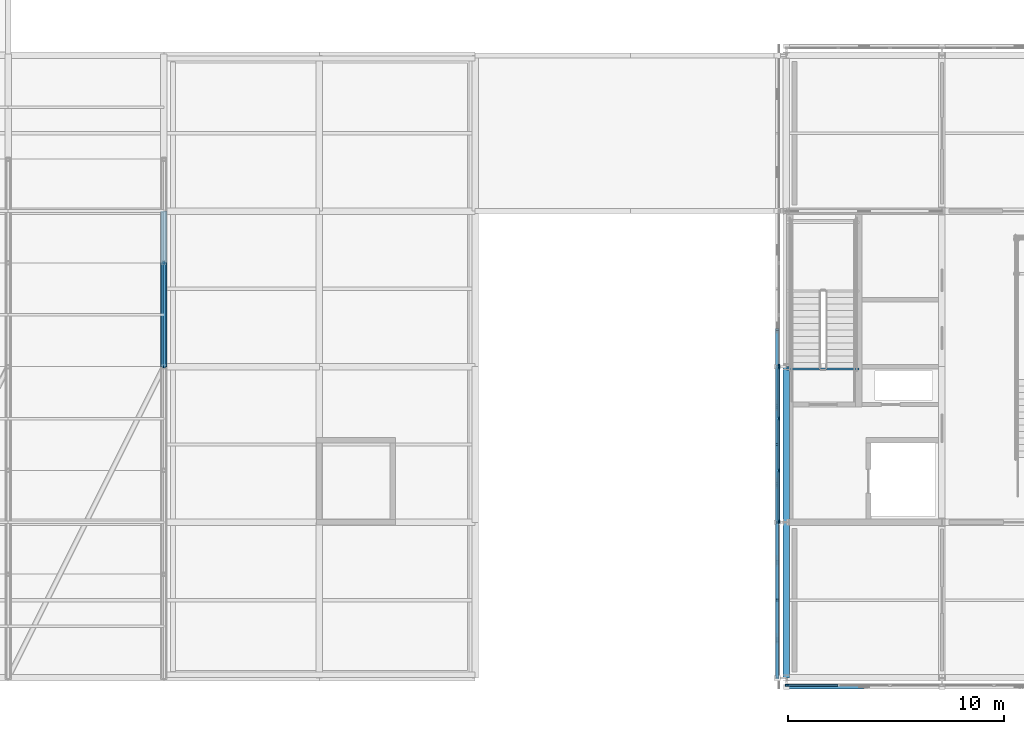
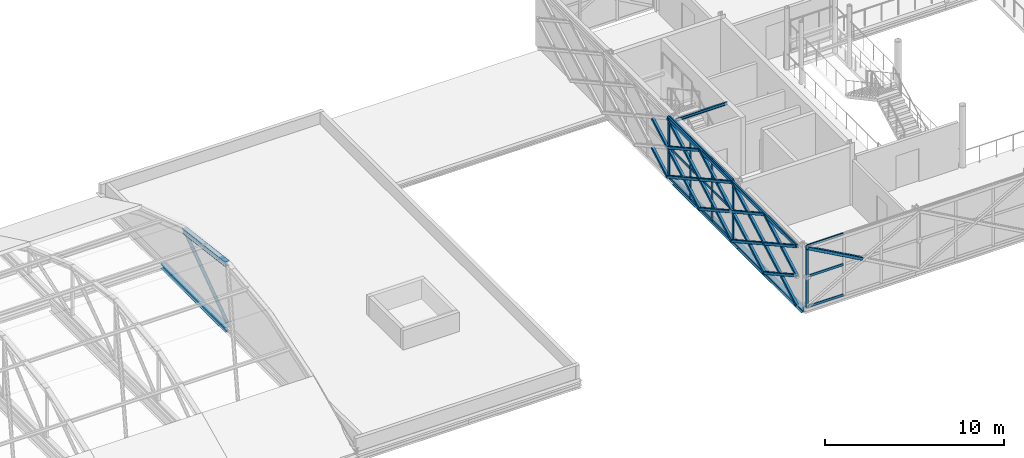
# One storey, part 29 of 103: 49 members, 4 beams, 3 elements without a shape of their own.
"""IFC4 building model written with IfcOpenShell, lengths in metres."""

import ifcopenshell
import ifcopenshell.guid

model = None  # the IFC model being written
_history = None  # IfcOwnerHistory: only IFC2X3 demands one
_inside = {}  # id of a spatial element -> (the spatial element, [elements in it])
_under = {}  # id of a project, library or spatial element -> (it, [spatial elements below it])
_declared = {}  # id of a project -> (the project, [libraries it declares])
_typed = {}  # id of a type object -> (the type object, [elements of that type])
_made_of = {}  # id of a material, layer set ... -> (it, [elements and type objects made of it])


def new_model(schema):
    """Start an empty IFC model of exactly this schema.

    Asked for "IFC4X3", IfcOpenShell would pick the latest addendum, in which some entities
    have other attributes; the version numbers below select the first issue.
    IFC2X3 requires an IfcOwnerHistory on every rooted entity: one is made here for all.
    """
    global model, _history
    if schema == "IFC4X3":
        model = ifcopenshell.file(schema_version=(4, 3, 0, 0))
    else:
        model = ifcopenshell.file(schema=schema)
    _inside.clear()
    _under.clear()
    _declared.clear()
    _typed.clear()
    _made_of.clear()
    _history = None
    if model.schema == "IFC2X3":
        org = make("IfcOrganization", Name="unknown")
        user = make(
            "IfcPersonAndOrganization",
            ThePerson=make("IfcPerson", FamilyName="unknown"),
            TheOrganization=org,
        )
        app = make(
            "IfcApplication",
            ApplicationDeveloper=org,
            Version="unknown",
            ApplicationFullName="unknown",
            ApplicationIdentifier="unknown",
        )
        _history = make(
            "IfcOwnerHistory",
            OwningUser=user,
            OwningApplication=app,
            ChangeAction="ADDED",
            CreationDate=0,
        )
    return model


def make(cls, **values):
    """One entity of the class cls with the attributes given. An attribute that is None is left unset."""
    return model.create_entity(
        cls, **{name: value for name, value in values.items() if value is not None}
    )


def rooted(cls, **values):
    """An entity with a GlobalId (a new one), such as an element, a storey or a relation."""
    return make(cls, GlobalId=ifcopenshell.guid.new(), OwnerHistory=_history, **values)


def si_unit(unit_type, name, prefix=None):
    """IfcSIUnit, for example si_unit("LENGTHUNIT", "METRE", prefix="MILLI")."""
    return make("IfcSIUnit", UnitType=unit_type, Prefix=prefix, Name=name)


def assignment(units):
    """IfcUnitAssignment: the units of a project."""
    return None if units is None else make("IfcUnitAssignment", Units=units)


def point(xyz):
    """IfcCartesianPoint."""
    return None if xyz is None else make("IfcCartesianPoint", Coordinates=xyz)


def direction(xyz):
    """IfcDirection."""
    return None if xyz is None else make("IfcDirection", DirectionRatios=xyz)


def frame(location, z_axis=None, x_axis=None):
    """IfcAxis2Placement3D, a coordinate frame: its origin and axes. An axis left out is left unset."""
    return make(
        "IfcAxis2Placement3D",
        Location=point(location),
        Axis=direction(z_axis),
        RefDirection=direction(x_axis),
    )


def frame_2d(location, x_axis=None):
    """IfcAxis2Placement2D, a coordinate frame in the plane: its origin and x axis."""
    return make(
        "IfcAxis2Placement2D", Location=point(location), RefDirection=direction(x_axis)
    )


def origin():
    """The frame at (0, 0, 0) with its axes left unset."""
    return frame((0.0, 0.0, 0.0))


def origin_2d():
    """The frame at (0, 0) in the plane with its x axis left unset."""
    return frame_2d((0.0, 0.0))


def place(relative_to, where):
    """IfcLocalPlacement: puts the frame where relative to a parent placement (None: the world)."""
    return make(
        "IfcLocalPlacement", PlacementRelTo=relative_to, RelativePlacement=where
    )


def context(
    kind, dimensions, precision=None, world=None, true_north=None, identifier=None
):
    """IfcGeometricRepresentationContext, for example the 3D "Model" context."""
    return make(
        "IfcGeometricRepresentationContext",
        ContextIdentifier=identifier,
        ContextType=kind,
        CoordinateSpaceDimension=dimensions,
        Precision=precision,
        WorldCoordinateSystem=world,
        TrueNorth=true_north,
    )


def subcontext(parent, identifier, kind, view, scale=None):
    """IfcGeometricRepresentationSubContext, for example "Body" below "Model"."""
    return make(
        "IfcGeometricRepresentationSubContext",
        ContextIdentifier=identifier,
        ContextType=kind,
        ParentContext=parent,
        TargetScale=scale,
        TargetView=view,
    )


def project(units=None, contexts=None):
    """IfcProject with its units and contexts."""
    return rooted(
        "IfcProject",
        Name="project",
        RepresentationContexts=contexts,
        UnitsInContext=assignment(units),
    )


def spatial(cls, under=None, at=None, **own):
    """A site, building, storey or space (cls), placed at a placement, below another one or the project."""
    s = rooted(cls, ObjectPlacement=at, **own)
    if under is not None:
        _under.setdefault(under.id(), (under, []))[1].append(s)
    return s


def profile(cls, at=None, kind="AREA", **sizes):
    """A parametric profile (cls). Its sizes go by their IFC names, for example OverallWidth=200.0."""
    return make(cls, ProfileType=kind, Position=at, **sizes)


def rectangle(**sizes):
    """IfcRectangleProfileDef."""
    return profile("IfcRectangleProfileDef", **sizes)


def hollow_rectangle(**sizes):
    """IfcRectangleHollowProfileDef."""
    return profile("IfcRectangleHollowProfileDef", **sizes)


def hollow_circle(**sizes):
    """IfcCircleHollowProfileDef."""
    return profile("IfcCircleHollowProfileDef", **sizes)


def i_section(**sizes):
    """IfcIShapeProfileDef."""
    return profile("IfcIShapeProfileDef", **sizes)


def extrude(swept, where, along, depth):
    """IfcExtrudedAreaSolid: the profile swept, set in the frame where, extruded along a direction by depth."""
    return make(
        "IfcExtrudedAreaSolid",
        SweptArea=swept,
        Position=where,
        ExtrudedDirection=direction(along),
        Depth=depth,
    )


def shape(context_of_items, identifier, shape_type, items):
    """IfcShapeRepresentation: the items that make up one representation, for example the "Body"."""
    return make(
        "IfcShapeRepresentation",
        ContextOfItems=context_of_items,
        RepresentationIdentifier=identifier,
        RepresentationType=shape_type,
        Items=items,
    )


def material(Name=None, Category=None):
    """IfcMaterial."""
    return make("IfcMaterial", Name=Name, Category=Category)


def material_profile(
    of_material, cross_section, Name=None, Category=None, Priority=None
):
    """IfcMaterialProfile: a cross section and its material."""
    return make(
        "IfcMaterialProfile",
        Name=Name,
        Material=of_material,
        Profile=cross_section,
        Priority=Priority,
        Category=Category,
    )


def profile_set(profiles, Name=None, composite=None):
    """IfcMaterialProfileSet."""
    return make(
        "IfcMaterialProfileSet",
        Name=Name,
        MaterialProfiles=profiles,
        CompositeProfile=composite,
    )


def made_of(thing, what):
    """Note that an element or type object is made of a material, layer set ...; save() writes the relation."""
    if what is not None:
        _made_of.setdefault(what.id(), (what, []))[1].append(thing)
    return thing


def type_object(cls, material=None, **own):
    """A type object (cls), such as IfcWallType, which elements share."""
    return made_of(rooted(cls, **own), material)


def element(
    cls,
    number,
    at=None,
    inside=None,
    cuts=None,
    type_object=None,
    material=None,
    context=None,
    identifier="Body",
    shape_type=None,
    held_by="IfcProductDefinitionShape",
    body=None,
    shapes=None,
    **own,
):
    """One element of the class cls, such as IfcWall. Its Tag is "e" and its number.

    at: its placement. inside: the storey or other place that contains it. cuts: it is an
    opening in that element (IfcRelVoidsElement). A single representation is given by context,
    identifier, shape_type and body (its items); several are given by shapes. held_by: the class
    of the entity that holds the representations. save() writes the other relations.
    """
    e = rooted(cls, Tag="e%d" % number, ObjectPlacement=at, **own)
    if body is not None:
        shapes = [shape(context, identifier, shape_type, body)]
    if shapes is not None:
        e.Representation = make(held_by, Representations=shapes)
    if inside is not None:
        _inside.setdefault(inside.id(), (inside, []))[1].append(e)
    if cuts is not None:
        rooted(
            "IfcRelVoidsElement", RelatingBuildingElement=cuts, RelatedOpeningElement=e
        )
    if type_object is not None:
        _typed.setdefault(type_object.id(), (type_object, []))[1].append(e)
    return made_of(e, material)


def aggregate(whole, parts):
    """IfcRelAggregates: a whole, such as a stair, and the parts it consists of."""
    return rooted("IfcRelAggregates", RelatingObject=whole, RelatedObjects=parts)


def save(model, path):
    """Write the relations noted so far, then the file.

    IfcRelAggregates (storeys below a building ...), IfcRelContainedInSpatialStructure (elements
    in a storey), IfcRelDefinesByType, IfcRelAssociatesMaterial and IfcRelDeclares: one each for
    every whole, place, type object, material and project.
    """
    for whole, parts in _under.values():
        aggregate(whole, parts)
    for where, things in _inside.values():
        rooted(
            "IfcRelContainedInSpatialStructure",
            RelatedElements=things,
            RelatingStructure=where,
        )
    for kind, things in _typed.values():
        rooted("IfcRelDefinesByType", RelatedObjects=things, RelatingType=kind)
    for what, things in _made_of.values():
        rooted("IfcRelAssociatesMaterial", RelatedObjects=things, RelatingMaterial=what)
    for by, libraries in _declared.values():
        rooted("IfcRelDeclares", RelatingContext=by, RelatedDefinitions=libraries)
    model.write(path)


model = new_model("IFC4")

# Units and contexts
model_context = context("Model", 3, precision=1e-05, world=origin(), true_north=direction((0.0, 1.0)))
body_context = subcontext(model_context, "Body", "Model", "MODEL_VIEW")
ifc_project = project(units=[si_unit("LENGTHUNIT", "METRE"), si_unit("AREAUNIT", "SQUARE_METRE"), si_unit("VOLUMEUNIT", "CUBIC_METRE"), si_unit("PLANEANGLEUNIT", "RADIAN"), si_unit("MASSUNIT", "GRAM", prefix="KILO")], contexts=[model_context])

# Site, building, storey
site_placement = place(None, origin())
site = spatial("IfcSite", under=ifc_project, at=site_placement, CompositionType="ELEMENT")
building_placement = place(site_placement, origin())
building = spatial("IfcBuilding", under=site, at=building_placement, Name="Zlatovets Crest Museum", CompositionType="ELEMENT")
storey_placement = place(building_placement, frame((0.0, 0.0, 12.89990234375)))
storey = spatial("IfcBuildingStorey", under=building, at=storey_placement, Name="L03", CompositionType="ELEMENT", Elevation=12.89990234375)

# Beams
ifc_material_1 = material(Name="Structural steel S355J2", Category="steel")
ifc_material_profile_1 = material_profile(ifc_material_1, i_section(OverallWidth=0.300048828125, OverallDepth=0.31005859375, WebThickness=0.009033203125, FlangeThickness=0.015380859375, FilletRadius=0.027099609375, at=origin_2d()), Name="HEA 320")
ifc_profile_set_1 = profile_set([ifc_material_profile_1], Name="Structural steel S355J2")
beam_type_1 = type_object("IfcBeamType", Name="Beam_B-04", PredefinedType="BEAM", material=ifc_profile_set_1)
for number, where, z_axis, x_axis, name in (
    (1, (57.60009765625, 0.0, -0.39501953125), (0.0, 1.0, 0.0), (-1.0, 0.0, 0.0), "V2 L03 Grid Beam B-04"),
    (2, (57.60009765625, 7.199951171875, -0.39501953125), (0.0, 1.0, 0.0), (-1.0, 0.0, 0.0), "V2 L03 Grid Beam B-04"),
):
    element("IfcBeam", number, at=place(storey_placement, frame(where, z_axis=z_axis, x_axis=x_axis)), inside=storey, type_object=beam_type_1, Name=name, PredefinedType="BEAM", context=body_context, shape_type="SweptSolid", body=[
        extrude(i_section(OverallWidth=0.300048828125, OverallDepth=0.31005859375, WebThickness=0.009033203125, FlangeThickness=0.015380859375, FilletRadius=0.027099609375, at=origin_2d()), origin(), (0.0, 0.0, 1.0), 7.199951171875),
    ])
beam_1_placement = place(storey_placement, frame((28.800048828125, 14.39990234375, -0.375), z_axis=(0.0, 1.0, 0.0), x_axis=(-1.0, 0.0, 0.0)))
element("IfcBeam", 3, at=beam_1_placement, inside=storey, type_object=beam_type_1, Name="V3 L03 Grid Beam B-04", PredefinedType="BEAM", context=body_context, shape_type="SweptSolid", body=[
    extrude(i_section(OverallWidth=0.300048828125, OverallDepth=0.31005859375, WebThickness=0.009033203125, FlangeThickness=0.015380859375, FilletRadius=0.027099609375, at=origin_2d()), origin(), (0.0, 0.0, 1.0), 7.2001953125),
])
ifc_material_profile_2 = material_profile(ifc_material_1, i_section(OverallWidth=0.10009765625, OverallDepth=0.199951171875, WebThickness=0.005615234375, FlangeThickness=0.008544921875, FilletRadius=0.011962890625, at=origin_2d()), Name="IPE 200")
ifc_profile_set_2 = profile_set([ifc_material_profile_2], Name="Structural steel S355J2")
beam_type_2 = type_object("IfcBeamType", Name="Beam_PR-02", PredefinedType="LINTEL", material=ifc_profile_set_2)
beam_2_placement = place(storey_placement, frame((57.60009765625, 14.300048828125, 3.860107421875), z_axis=(1.0, 0.0, 0.0), x_axis=(0.0, 1.0, 0.0)))
element("IfcBeam", 4, at=beam_2_placement, inside=storey, type_object=beam_type_2, Name="Core C2 L03 Stair Well Header Beam", PredefinedType="LINTEL", context=body_context, shape_type="SweptSolid", body=[
    extrude(i_section(OverallWidth=0.10009765625, OverallDepth=0.199951171875, WebThickness=0.005615234375, FlangeThickness=0.008544921875, FilletRadius=0.011962890625, at=origin_2d()), origin(), (0.0, 0.0, 1.0), 3.349853515625),
])

# Curtain wall, member
ifc_material_2 = material(Name="Bronze-anodised aluminium and low-E triple glass", Category="aluminium")
curtain_wall_type_1 = type_object("IfcCurtainWallType", Name="CW_CW-V2-L03-M0", PredefinedType="NOTDEFINED", material=ifc_material_2)
curtain_wall_1_placement = place(storey_placement, origin())
curtain_wall_1 = element("IfcCurtainWall", 5, at=curtain_wall_1_placement, inside=storey, type_object=curtain_wall_type_1, Name="V2 L03 Secession Foyer Clear Curtain Wall", PredefinedType="NOTDEFINED")
ifc_material_3 = material(Name="Bronze-anodised aluminium EN AW-6060", Category="aluminium")
ifc_material_profile_3 = material_profile(ifc_material_3, rectangle(XDim=0.080078125, YDim=0.159912109375, at=origin_2d()), Name="ALU 80x160")
ifc_profile_set_3 = profile_set([ifc_material_profile_3], Name="Bronze-anodised aluminium EN AW-6060")
member_type_1 = type_object("IfcMemberType", Name="CWMull_M1", PredefinedType="MULLION", material=ifc_profile_set_3)
member_1_placement = place(storey_placement, frame((57.6298828125, -0.340087890625, 0.0), z_axis=(0.0, 0.0, 1.0), x_axis=(0.0, 1.0, 0.0)))
member_1 = element("IfcMember", 6, at=member_1_placement, type_object=member_type_1, Name="CW-V2-L03-M0 mullion 1", PredefinedType="MULLION", context=body_context, shape_type="SweptSolid", body=[
    extrude(rectangle(XDim=0.080078125, YDim=0.159912109375, at=origin_2d()), origin(), (0.0, 0.0, 1.0), 4.2001953125),
])

curtain_wall_type_2 = type_object("IfcCurtainWallType", Name="CW_CW-V2-L03-M3", PredefinedType="NOTDEFINED", material=ifc_material_2)
curtain_wall_2_placement = place(storey_placement, origin())
curtain_wall_2 = element("IfcCurtainWall", 7, at=curtain_wall_2_placement, inside=storey, type_object=curtain_wall_type_2, Name="V2 L03 Expressed Core Glazed Facade", PredefinedType="NOTDEFINED")
member_2_placement = place(storey_placement, frame((57.260009765625, 14.429931640625, 0.0), z_axis=(0.0, 0.0, 1.0), x_axis=(1.0, 0.0, 0.0)))
member_2 = element("IfcMember", 8, at=member_2_placement, type_object=member_type_1, Name="CW-V2-L03-M3 mullion 4", PredefinedType="MULLION", context=body_context, shape_type="SweptSolid", body=[
    extrude(rectangle(XDim=0.080078125, YDim=0.159912109375, at=origin_2d()), origin(), (0.0, 0.0, 1.0), 4.2001953125),
])
aggregate(curtain_wall_2, [member_2])

# Curtain wall, members
curtain_wall_3_placement = place(storey_placement, origin())
curtain_wall_3 = element("IfcCurtainWall", 9, at=curtain_wall_3_placement, inside=storey, type_object=curtain_wall_type_1, Name="V2 L03 Expressed Core Glazed Facade", PredefinedType="NOTDEFINED")
member_3_placement = place(storey_placement, frame((57.260009765625, 14.3701171875, 0.0), z_axis=(0.0, 0.0, 1.0), x_axis=(1.0, 0.0, 0.0)))
member_3 = element("IfcMember", 10, at=member_3_placement, type_object=member_type_1, Name="CW-V2-L03-M0 mullion 1", PredefinedType="MULLION", context=body_context, shape_type="SweptSolid", body=[
    extrude(rectangle(XDim=0.080078125, YDim=0.159912109375, at=origin_2d()), origin(), (0.0, 0.0, 1.0), 4.2001953125),
])
member_4_placement = place(storey_placement, frame((57.260009765625, 12.0, 0.0), z_axis=(0.0, 0.0, 1.0), x_axis=(1.0, 0.0, 0.0)))
member_4 = element("IfcMember", 11, at=member_4_placement, type_object=member_type_1, Name="CW-V2-L03-M0 mullion 2", PredefinedType="MULLION", context=body_context, shape_type="SweptSolid", body=[
    extrude(rectangle(XDim=0.080078125, YDim=0.159912109375, at=origin_2d()), origin(), (0.0, 0.0, 1.0), 4.2001953125),
])
member_5_placement = place(storey_placement, frame((57.260009765625, 9.60009765625, 0.0), z_axis=(0.0, 0.0, 1.0), x_axis=(1.0, 0.0, 0.0)))
member_5 = element("IfcMember", 12, at=member_5_placement, type_object=member_type_1, Name="CW-V2-L03-M0 mullion 3", PredefinedType="MULLION", context=body_context, shape_type="SweptSolid", body=[
    extrude(rectangle(XDim=0.080078125, YDim=0.159912109375, at=origin_2d()), origin(), (0.0, 0.0, 1.0), 4.2001953125),
])
member_6_placement = place(storey_placement, frame((57.260009765625, 7.22998046875, 0.0), z_axis=(0.0, 0.0, 1.0), x_axis=(1.0, 0.0, 0.0)))
member_6 = element("IfcMember", 13, at=member_6_placement, type_object=member_type_1, Name="CW-V2-L03-M0 mullion 4", PredefinedType="MULLION", context=body_context, shape_type="SweptSolid", body=[
    extrude(rectangle(XDim=0.080078125, YDim=0.159912109375, at=origin_2d()), origin(), (0.0, 0.0, 1.0), 4.2001953125),
])

# Member
ifc_material_profile_4 = material_profile(ifc_material_3, rectangle(XDim=0.080078125, YDim=0.159912109375, at=origin_2d()), Name="ALU 80x160")
ifc_profile_set_4 = profile_set([ifc_material_profile_4], Name="Bronze-anodised aluminium EN AW-6060")
member_type_2 = type_object("IfcMemberType", Name="CWTrans_T1", PredefinedType="USERDEFINED", material=ifc_profile_set_4)
member_7_placement = place(storey_placement, frame((57.659912109375, -0.340087890625, 0.030029296875), z_axis=(1.0, 0.0, 0.0), x_axis=(0.0, 1.0, 0.0)))
member_7 = element("IfcMember", 14, at=member_7_placement, type_object=member_type_2, Name="CW-V2-L03-M0 transom 1.1", ObjectType="TRANSOM", PredefinedType="USERDEFINED", context=body_context, shape_type="SweptSolid", body=[
    extrude(rectangle(XDim=0.080078125, YDim=0.159912109375, at=origin_2d()), origin(), (0.0, 0.0, 1.0), 2.31005859375),
])

member_8_placement = place(storey_placement, frame((57.659912109375, -0.340087890625, 2.10009765625), z_axis=(1.0, 0.0, 0.0), x_axis=(0.0, 1.0, 0.0)))
member_8 = element("IfcMember", 15, at=member_8_placement, type_object=member_type_2, Name="CW-V2-L03-M0 transom 1.2", ObjectType="TRANSOM", PredefinedType="USERDEFINED", context=body_context, shape_type="SweptSolid", body=[
    extrude(rectangle(XDim=0.080078125, YDim=0.159912109375, at=origin_2d()), origin(), (0.0, 0.0, 1.0), 2.31005859375),
])

member_9_placement = place(storey_placement, frame((57.659912109375, -0.340087890625, 4.170166015625), z_axis=(1.0, 0.0, 0.0), x_axis=(0.0, 1.0, 0.0)))
member_9 = element("IfcMember", 16, at=member_9_placement, type_object=member_type_2, Name="CW-V2-L03-M0 transom 1.3", ObjectType="TRANSOM", PredefinedType="USERDEFINED", context=body_context, shape_type="SweptSolid", body=[
    extrude(rectangle(XDim=0.080078125, YDim=0.159912109375, at=origin_2d()), origin(), (0.0, 0.0, 1.0), 2.31005859375),
])

aggregate(curtain_wall_1, [member_1, member_7, member_8, member_9])

member_10_placement = place(storey_placement, frame((57.260009765625, 14.340087890625, 0.030029296875), z_axis=(0.0, -1.0, 0.0), x_axis=(1.0, 0.0, 0.0)))
member_10 = element("IfcMember", 17, at=member_10_placement, type_object=member_type_2, Name="CW-V2-L03-M0 transom 1.1", ObjectType="TRANSOM", PredefinedType="USERDEFINED", context=body_context, shape_type="SweptSolid", body=[
    extrude(rectangle(XDim=0.080078125, YDim=0.159912109375, at=origin_2d()), origin(), (0.0, 0.0, 1.0), 2.31005859375),
])

member_11_placement = place(storey_placement, frame((57.260009765625, 14.340087890625, 2.10009765625), z_axis=(0.0, -1.0, 0.0), x_axis=(1.0, 0.0, 0.0)))
member_11 = element("IfcMember", 18, at=member_11_placement, type_object=member_type_2, Name="CW-V2-L03-M0 transom 1.2", ObjectType="TRANSOM", PredefinedType="USERDEFINED", context=body_context, shape_type="SweptSolid", body=[
    extrude(rectangle(XDim=0.080078125, YDim=0.159912109375, at=origin_2d()), origin(), (0.0, 0.0, 1.0), 2.31005859375),
])

member_12_placement = place(storey_placement, frame((57.260009765625, 14.340087890625, 4.170166015625), z_axis=(0.0, -1.0, 0.0), x_axis=(1.0, 0.0, 0.0)))
member_12 = element("IfcMember", 19, at=member_12_placement, type_object=member_type_2, Name="CW-V2-L03-M0 transom 1.3", ObjectType="TRANSOM", PredefinedType="USERDEFINED", context=body_context, shape_type="SweptSolid", body=[
    extrude(rectangle(XDim=0.080078125, YDim=0.159912109375, at=origin_2d()), origin(), (0.0, 0.0, 1.0), 2.31005859375),
])

member_13_placement = place(storey_placement, frame((57.260009765625, 11.969970703125, 0.030029296875), z_axis=(0.0, -1.0, 0.0), x_axis=(1.0, 0.0, 0.0)))
member_13 = element("IfcMember", 20, at=member_13_placement, type_object=member_type_2, Name="CW-V2-L03-M0 transom 2.1", ObjectType="TRANSOM", PredefinedType="USERDEFINED", context=body_context, shape_type="SweptSolid", body=[
    extrude(rectangle(XDim=0.080078125, YDim=0.159912109375, at=origin_2d()), origin(), (0.0, 0.0, 1.0), 2.340087890625),
])

member_14_placement = place(storey_placement, frame((57.260009765625, 11.969970703125, 2.10009765625), z_axis=(0.0, -1.0, 0.0), x_axis=(1.0, 0.0, 0.0)))
member_14 = element("IfcMember", 21, at=member_14_placement, type_object=member_type_2, Name="CW-V2-L03-M0 transom 2.2", ObjectType="TRANSOM", PredefinedType="USERDEFINED", context=body_context, shape_type="SweptSolid", body=[
    extrude(rectangle(XDim=0.080078125, YDim=0.159912109375, at=origin_2d()), origin(), (0.0, 0.0, 1.0), 2.340087890625),
])

member_15_placement = place(storey_placement, frame((57.260009765625, 11.969970703125, 4.170166015625), z_axis=(0.0, -1.0, 0.0), x_axis=(1.0, 0.0, 0.0)))
member_15 = element("IfcMember", 22, at=member_15_placement, type_object=member_type_2, Name="CW-V2-L03-M0 transom 2.3", ObjectType="TRANSOM", PredefinedType="USERDEFINED", context=body_context, shape_type="SweptSolid", body=[
    extrude(rectangle(XDim=0.080078125, YDim=0.159912109375, at=origin_2d()), origin(), (0.0, 0.0, 1.0), 2.340087890625),
])

member_16_placement = place(storey_placement, frame((57.260009765625, 9.570068359375, 0.030029296875), z_axis=(0.0, -1.0, 0.0), x_axis=(1.0, 0.0, 0.0)))
member_16 = element("IfcMember", 23, at=member_16_placement, type_object=member_type_2, Name="CW-V2-L03-M0 transom 3.1", ObjectType="TRANSOM", PredefinedType="USERDEFINED", context=body_context, shape_type="SweptSolid", body=[
    extrude(rectangle(XDim=0.080078125, YDim=0.159912109375, at=origin_2d()), origin(), (0.0, 0.0, 1.0), 2.31005859375),
])

member_17_placement = place(storey_placement, frame((57.260009765625, 9.570068359375, 2.10009765625), z_axis=(0.0, -1.0, 0.0), x_axis=(1.0, 0.0, 0.0)))
member_17 = element("IfcMember", 24, at=member_17_placement, type_object=member_type_2, Name="CW-V2-L03-M0 transom 3.2", ObjectType="TRANSOM", PredefinedType="USERDEFINED", context=body_context, shape_type="SweptSolid", body=[
    extrude(rectangle(XDim=0.080078125, YDim=0.159912109375, at=origin_2d()), origin(), (0.0, 0.0, 1.0), 2.31005859375),
])

member_18_placement = place(storey_placement, frame((57.260009765625, 9.570068359375, 4.170166015625), z_axis=(0.0, -1.0, 0.0), x_axis=(1.0, 0.0, 0.0)))
member_18 = element("IfcMember", 25, at=member_18_placement, type_object=member_type_2, Name="CW-V2-L03-M0 transom 3.3", ObjectType="TRANSOM", PredefinedType="USERDEFINED", context=body_context, shape_type="SweptSolid", body=[
    extrude(rectangle(XDim=0.080078125, YDim=0.159912109375, at=origin_2d()), origin(), (0.0, 0.0, 1.0), 2.31005859375),
])

aggregate(curtain_wall_3, [member_3, member_4, member_5, member_6, member_10, member_11, member_12, member_13, member_14, member_15, member_16, member_17, member_18])

# Members
ifc_material_4 = material(Name="Weathering bronze-steel S355J2W", Category="steel")
ifc_material_profile_5 = material_profile(ifc_material_4, hollow_rectangle(XDim=0.179931640625, YDim=0.179931640625, WallThickness=0.010009765625, InnerFilletRadius=0.010009765625, OuterFilletRadius=0.02001953125, at=origin_2d()), Name="SHS 180x180x10.0")
ifc_profile_set_5 = profile_set([ifc_material_profile_5], Name="Weathering bronze-steel S355J2W")
member_type_3 = type_object("IfcMemberType", Name="Lattice_XL-01", PredefinedType="BRACE", material=ifc_profile_set_5)
for number, where, z_axis, x_axis, name in (
    (26, (57.179931640625, 16.116943359375, 1.053955078125), (0.0, -0.874169001841, -0.485621824284), (1.0, 0.0, 0.0), "Split Crossing Bronze Lattice Diagonal Lower"),
    (27, (57.179931640625, 16.116943359375, 3.053955078125), (0.0, -0.874169001841, -0.485621824284), (1.0, 0.0, 0.0), "Split Crossing Bronze Lattice Diagonal Lower"),
):
    element("IfcMember", number, at=place(storey_placement, frame(where, z_axis=z_axis, x_axis=x_axis)), inside=storey, type_object=member_type_3, Name=name, PredefinedType="BRACE", context=body_context, shape_type="SweptSolid", body=[
        extrude(hollow_rectangle(XDim=0.179931640625, YDim=0.179931640625, WallThickness=0.010009765625, InnerFilletRadius=0.010009765625, OuterFilletRadius=0.02001953125, at=origin_2d()), origin(), (0.0, 0.0, 1.0), 1.964111328125),
    ])
member_19_placement = place(storey_placement, frame((57.179931640625, 14.39990234375, 0.10009765625), z_axis=(0.0, -0.874148886685, 0.485658031857), x_axis=(1.0, 0.0, 0.0)))
element("IfcMember", 28, at=member_19_placement, inside=storey, type_object=member_type_3, Name="Continuous Bronze Lattice Diagonal", PredefinedType="BRACE", context=body_context, shape_type="SweptSolid", body=[
    extrude(hollow_rectangle(XDim=0.179931640625, YDim=0.179931640625, WallThickness=0.010009765625, InnerFilletRadius=0.010009765625, OuterFilletRadius=0.02001953125, at=origin_2d()), origin(), (0.0, 0.0, 1.0), 4.1181640625),
])
member_20_placement = place(storey_placement, frame((57.179931640625, 14.39990234375, 2.10009765625), z_axis=(0.0, -0.874139684676, -0.48567459443), x_axis=(1.0, 0.0, 0.0)))
element("IfcMember", 29, at=member_20_placement, inside=storey, type_object=member_type_3, Name="Split Crossing Bronze Lattice Diagonal Upper", PredefinedType="BRACE", context=body_context, shape_type="SweptSolid", body=[
    extrude(hollow_rectangle(XDim=0.179931640625, YDim=0.179931640625, WallThickness=0.010009765625, InnerFilletRadius=0.010009765625, OuterFilletRadius=0.02001953125, at=origin_2d()), origin(), (0.0, 0.0, 1.0), 1.9638671875),
])
member_21_placement = place(storey_placement, frame((57.179931640625, 12.51708984375, 1.053955078125), z_axis=(0.0, -0.874169001841, -0.485621824284), x_axis=(1.0, 0.0, 0.0)))
element("IfcMember", 30, at=member_21_placement, inside=storey, type_object=member_type_3, Name="Split Crossing Bronze Lattice Diagonal Lower", PredefinedType="BRACE", context=body_context, shape_type="SweptSolid", body=[
    extrude(hollow_rectangle(XDim=0.179931640625, YDim=0.179931640625, WallThickness=0.010009765625, InnerFilletRadius=0.010009765625, OuterFilletRadius=0.02001953125, at=origin_2d()), origin(), (0.0, 0.0, 1.0), 1.964111328125),
])
member_22_placement = place(storey_placement, frame((57.179931640625, 10.800048828125, 0.10009765625), z_axis=(0.0, -0.874162868644, 0.485632864501), x_axis=(1.0, 0.0, 0.0)))
element("IfcMember", 31, at=member_22_placement, inside=storey, type_object=member_type_3, Name="Continuous Bronze Lattice Diagonal", PredefinedType="BRACE", context=body_context, shape_type="SweptSolid", body=[
    extrude(hollow_rectangle(XDim=0.179931640625, YDim=0.179931640625, WallThickness=0.010009765625, InnerFilletRadius=0.010009765625, OuterFilletRadius=0.02001953125, at=origin_2d()), origin(), (0.0, 0.0, 1.0), 4.118408203125),
])
for number, where, z_axis, x_axis, name in (
    (32, (57.179931640625, 10.800048828125, 2.10009765625), (0.0, -0.874169001841, -0.485621824284), (1.0, 0.0, 0.0), "Split Crossing Bronze Lattice Diagonal Upper"),
    (33, (57.179931640625, 8.9169921875, 1.053955078125), (0.0, -0.874169001841, -0.485621824284), (1.0, 0.0, 0.0), "Split Crossing Bronze Lattice Diagonal Lower"),
):
    element("IfcMember", number, at=place(storey_placement, frame(where, z_axis=z_axis, x_axis=x_axis)), inside=storey, type_object=member_type_3, Name=name, PredefinedType="BRACE", context=body_context, shape_type="SweptSolid", body=[
        extrude(hollow_rectangle(XDim=0.179931640625, YDim=0.179931640625, WallThickness=0.010009765625, InnerFilletRadius=0.010009765625, OuterFilletRadius=0.02001953125, at=origin_2d()), origin(), (0.0, 0.0, 1.0), 1.964111328125),
    ])
member_23_placement = place(storey_placement, frame((57.179931640625, 14.39990234375, 2.10009765625), z_axis=(0.0, -0.874148886685, 0.485658031857), x_axis=(1.0, 0.0, 0.0)))
element("IfcMember", 34, at=member_23_placement, inside=storey, type_object=member_type_3, Name="Continuous Bronze Lattice Diagonal", PredefinedType="BRACE", context=body_context, shape_type="SweptSolid", body=[
    extrude(hollow_rectangle(XDim=0.179931640625, YDim=0.179931640625, WallThickness=0.010009765625, InnerFilletRadius=0.010009765625, OuterFilletRadius=0.02001953125, at=origin_2d()), origin(), (0.0, 0.0, 1.0), 4.1181640625),
])
member_24_placement = place(storey_placement, frame((57.179931640625, 14.39990234375, 4.10009765625), z_axis=(0.0, -0.874139684676, -0.48567459443), x_axis=(1.0, 0.0, 0.0)))
element("IfcMember", 35, at=member_24_placement, inside=storey, type_object=member_type_3, Name="Split Crossing Bronze Lattice Diagonal Upper", PredefinedType="BRACE", context=body_context, shape_type="SweptSolid", body=[
    extrude(hollow_rectangle(XDim=0.179931640625, YDim=0.179931640625, WallThickness=0.010009765625, InnerFilletRadius=0.010009765625, OuterFilletRadius=0.02001953125, at=origin_2d()), origin(), (0.0, 0.0, 1.0), 1.9638671875),
])
member_25_placement = place(storey_placement, frame((57.179931640625, 12.51708984375, 3.053955078125), z_axis=(0.0, -0.874169001841, -0.485621824284), x_axis=(1.0, 0.0, 0.0)))
element("IfcMember", 36, at=member_25_placement, inside=storey, type_object=member_type_3, Name="Split Crossing Bronze Lattice Diagonal Lower", PredefinedType="BRACE", context=body_context, shape_type="SweptSolid", body=[
    extrude(hollow_rectangle(XDim=0.179931640625, YDim=0.179931640625, WallThickness=0.010009765625, InnerFilletRadius=0.010009765625, OuterFilletRadius=0.02001953125, at=origin_2d()), origin(), (0.0, 0.0, 1.0), 1.964111328125),
])
member_26_placement = place(storey_placement, frame((57.179931640625, 10.800048828125, 2.10009765625), z_axis=(0.0, -0.874162868644, 0.485632864501), x_axis=(1.0, 0.0, 0.0)))
element("IfcMember", 37, at=member_26_placement, inside=storey, type_object=member_type_3, Name="Continuous Bronze Lattice Diagonal", PredefinedType="BRACE", context=body_context, shape_type="SweptSolid", body=[
    extrude(hollow_rectangle(XDim=0.179931640625, YDim=0.179931640625, WallThickness=0.010009765625, InnerFilletRadius=0.010009765625, OuterFilletRadius=0.02001953125, at=origin_2d()), origin(), (0.0, 0.0, 1.0), 4.118408203125),
])
for number, where, z_axis, x_axis, name in (
    (38, (57.179931640625, 10.800048828125, 4.10009765625), (0.0, -0.874169001841, -0.485621824284), (1.0, 0.0, 0.0), "Split Crossing Bronze Lattice Diagonal Upper"),
    (39, (57.179931640625, 8.9169921875, 3.053955078125), (0.0, -0.874169001841, -0.485621824284), (1.0, 0.0, 0.0), "Split Crossing Bronze Lattice Diagonal Lower"),
):
    element("IfcMember", number, at=place(storey_placement, frame(where, z_axis=z_axis, x_axis=x_axis)), inside=storey, type_object=member_type_3, Name=name, PredefinedType="BRACE", context=body_context, shape_type="SweptSolid", body=[
        extrude(hollow_rectangle(XDim=0.179931640625, YDim=0.179931640625, WallThickness=0.010009765625, InnerFilletRadius=0.010009765625, OuterFilletRadius=0.02001953125, at=origin_2d()), origin(), (0.0, 0.0, 1.0), 1.964111328125),
    ])
member_27_placement = place(storey_placement, frame((57.179931640625, 7.199951171875, 0.10009765625), z_axis=(0.0, -0.874148886685, 0.485658031857), x_axis=(1.0, 0.0, 0.0)))
element("IfcMember", 40, at=member_27_placement, inside=storey, type_object=member_type_3, Name="Continuous Bronze Lattice Diagonal", PredefinedType="BRACE", context=body_context, shape_type="SweptSolid", body=[
    extrude(hollow_rectangle(XDim=0.179931640625, YDim=0.179931640625, WallThickness=0.010009765625, InnerFilletRadius=0.010009765625, OuterFilletRadius=0.02001953125, at=origin_2d()), origin(), (0.0, 0.0, 1.0), 4.1181640625),
])
member_28_placement = place(storey_placement, frame((57.179931640625, 7.199951171875, 2.10009765625), z_axis=(0.0, -0.874169001841, -0.485621824284), x_axis=(1.0, 0.0, 0.0)))
element("IfcMember", 41, at=member_28_placement, inside=storey, type_object=member_type_3, Name="Split Crossing Bronze Lattice Diagonal Upper", PredefinedType="BRACE", context=body_context, shape_type="SweptSolid", body=[
    extrude(hollow_rectangle(XDim=0.179931640625, YDim=0.179931640625, WallThickness=0.010009765625, InnerFilletRadius=0.010009765625, OuterFilletRadius=0.02001953125, at=origin_2d()), origin(), (0.0, 0.0, 1.0), 1.964111328125),
])
member_29_placement = place(storey_placement, frame((57.179931640625, 5.31689453125, 1.053955078125), z_axis=(0.0, -0.874139684676, -0.48567459443), x_axis=(1.0, 0.0, 0.0)))
element("IfcMember", 42, at=member_29_placement, inside=storey, type_object=member_type_3, Name="Split Crossing Bronze Lattice Diagonal Lower", PredefinedType="BRACE", context=body_context, shape_type="SweptSolid", body=[
    extrude(hollow_rectangle(XDim=0.179931640625, YDim=0.179931640625, WallThickness=0.010009765625, InnerFilletRadius=0.010009765625, OuterFilletRadius=0.02001953125, at=origin_2d()), origin(), (0.0, 0.0, 1.0), 1.9638671875),
])
member_30_placement = place(storey_placement, frame((57.179931640625, 3.60009765625, 0.10009765625), z_axis=(0.0, -0.874162868644, 0.485632864501), x_axis=(1.0, 0.0, 0.0)))
element("IfcMember", 43, at=member_30_placement, inside=storey, type_object=member_type_3, Name="Continuous Bronze Lattice Diagonal", PredefinedType="BRACE", context=body_context, shape_type="SweptSolid", body=[
    extrude(hollow_rectangle(XDim=0.179931640625, YDim=0.179931640625, WallThickness=0.010009765625, InnerFilletRadius=0.010009765625, OuterFilletRadius=0.02001953125, at=origin_2d()), origin(), (0.0, 0.0, 1.0), 4.118408203125),
])
for number, where, z_axis, x_axis, name in (
    (44, (57.179931640625, 3.60009765625, 2.10009765625), (0.0, -0.874169001841, -0.485621824284), (1.0, 0.0, 0.0), "Split Crossing Bronze Lattice Diagonal Upper"),
    (45, (57.179931640625, 1.717041015625, 1.053955078125), (0.0, -0.874169001841, -0.485621824284), (1.0, 0.0, 0.0), "Split Crossing Bronze Lattice Diagonal Lower"),
):
    element("IfcMember", number, at=place(storey_placement, frame(where, z_axis=z_axis, x_axis=x_axis)), inside=storey, type_object=member_type_3, Name=name, PredefinedType="BRACE", context=body_context, shape_type="SweptSolid", body=[
        extrude(hollow_rectangle(XDim=0.179931640625, YDim=0.179931640625, WallThickness=0.010009765625, InnerFilletRadius=0.010009765625, OuterFilletRadius=0.02001953125, at=origin_2d()), origin(), (0.0, 0.0, 1.0), 1.964111328125),
    ])
member_31_placement = place(storey_placement, frame((57.179931640625, 7.199951171875, 2.10009765625), z_axis=(0.0, -0.874148886685, 0.485658031857), x_axis=(1.0, 0.0, 0.0)))
element("IfcMember", 46, at=member_31_placement, inside=storey, type_object=member_type_3, Name="Continuous Bronze Lattice Diagonal", PredefinedType="BRACE", context=body_context, shape_type="SweptSolid", body=[
    extrude(hollow_rectangle(XDim=0.179931640625, YDim=0.179931640625, WallThickness=0.010009765625, InnerFilletRadius=0.010009765625, OuterFilletRadius=0.02001953125, at=origin_2d()), origin(), (0.0, 0.0, 1.0), 4.1181640625),
])
member_32_placement = place(storey_placement, frame((57.179931640625, 7.199951171875, 4.10009765625), z_axis=(0.0, -0.874169001841, -0.485621824284), x_axis=(1.0, 0.0, 0.0)))
element("IfcMember", 47, at=member_32_placement, inside=storey, type_object=member_type_3, Name="Split Crossing Bronze Lattice Diagonal Upper", PredefinedType="BRACE", context=body_context, shape_type="SweptSolid", body=[
    extrude(hollow_rectangle(XDim=0.179931640625, YDim=0.179931640625, WallThickness=0.010009765625, InnerFilletRadius=0.010009765625, OuterFilletRadius=0.02001953125, at=origin_2d()), origin(), (0.0, 0.0, 1.0), 1.964111328125),
])
member_33_placement = place(storey_placement, frame((57.179931640625, 5.31689453125, 3.053955078125), z_axis=(0.0, -0.874139684676, -0.48567459443), x_axis=(1.0, 0.0, 0.0)))
element("IfcMember", 48, at=member_33_placement, inside=storey, type_object=member_type_3, Name="Split Crossing Bronze Lattice Diagonal Lower", PredefinedType="BRACE", context=body_context, shape_type="SweptSolid", body=[
    extrude(hollow_rectangle(XDim=0.179931640625, YDim=0.179931640625, WallThickness=0.010009765625, InnerFilletRadius=0.010009765625, OuterFilletRadius=0.02001953125, at=origin_2d()), origin(), (0.0, 0.0, 1.0), 1.9638671875),
])
member_34_placement = place(storey_placement, frame((57.179931640625, 3.60009765625, 2.10009765625), z_axis=(0.0, -0.874162868644, 0.485632864501), x_axis=(1.0, 0.0, 0.0)))
element("IfcMember", 49, at=member_34_placement, inside=storey, type_object=member_type_3, Name="Continuous Bronze Lattice Diagonal", PredefinedType="BRACE", context=body_context, shape_type="SweptSolid", body=[
    extrude(hollow_rectangle(XDim=0.179931640625, YDim=0.179931640625, WallThickness=0.010009765625, InnerFilletRadius=0.010009765625, OuterFilletRadius=0.02001953125, at=origin_2d()), origin(), (0.0, 0.0, 1.0), 4.118408203125),
])
for number, where, z_axis, x_axis, name in (
    (50, (57.179931640625, 3.60009765625, 4.10009765625), (0.0, -0.874169001841, -0.485621824284), (1.0, 0.0, 0.0), "Split Crossing Bronze Lattice Diagonal Upper"),
    (51, (57.179931640625, 1.717041015625, 3.053955078125), (0.0, -0.874169001841, -0.485621824284), (1.0, 0.0, 0.0), "Split Crossing Bronze Lattice Diagonal Lower"),
):
    element("IfcMember", number, at=place(storey_placement, frame(where, z_axis=z_axis, x_axis=x_axis)), inside=storey, type_object=member_type_3, Name=name, PredefinedType="BRACE", context=body_context, shape_type="SweptSolid", body=[
        extrude(hollow_rectangle(XDim=0.179931640625, YDim=0.179931640625, WallThickness=0.010009765625, InnerFilletRadius=0.010009765625, OuterFilletRadius=0.02001953125, at=origin_2d()), origin(), (0.0, 0.0, 1.0), 1.964111328125),
    ])
ifc_material_profile_6 = material_profile(ifc_material_4, hollow_rectangle(XDim=0.199951171875, YDim=0.199951171875, WallThickness=0.012451171875, InnerFilletRadius=0.012451171875, OuterFilletRadius=0.02490234375, at=origin_2d()), Name="SHS 200x200x12.5")
ifc_profile_set_6 = profile_set([ifc_material_profile_6], Name="Weathering bronze-steel S355J2W")
member_type_4 = type_object("IfcMemberType", Name="Lattice_XL-02", PredefinedType="BRACE", material=ifc_profile_set_6)
member_35_placement = place(storey_placement, frame((57.60009765625, -0.419921875, 4.10009765625), z_axis=(0.874151551165, 0.0, -0.485653235958), x_axis=(0.0, 1.0, 0.0)))
element("IfcMember", 52, at=member_35_placement, inside=storey, type_object=member_type_4, Name="Split Crossing Bronze Lattice Diagonal Upper", PredefinedType="BRACE", context=body_context, shape_type="SweptSolid", body=[
    extrude(hollow_rectangle(XDim=0.199951171875, YDim=0.199951171875, WallThickness=0.012451171875, InnerFilletRadius=0.012451171875, OuterFilletRadius=0.02490234375, at=origin_2d()), origin(), (0.0, 0.0, 1.0), 4.023193359375),
])
ifc_material_profile_7 = material_profile(ifc_material_4, hollow_rectangle(XDim=0.1201171875, YDim=0.239990234375, WallThickness=0.010009765625, InnerFilletRadius=0.010009765625, OuterFilletRadius=0.02001953125, at=origin_2d()), Name="RHS 120x240x10.0")
ifc_profile_set_7 = profile_set([ifc_material_profile_7], Name="Weathering bronze-steel S355J2W")
member_type_5 = type_object("IfcMemberType", Name="Lattice_XL-04", PredefinedType="CHORD", material=ifc_profile_set_7)
for number, where, z_axis, x_axis, name in (
    (53, (57.179931640625, 14.39990234375, 4.10009765625), (0.0, -1.0, 0.0), (1.0, 0.0, 0.0), "Art Nouveau Woven Cage Collector Ring Chord"),
    (54, (57.179931640625, 7.199951171875, 4.10009765625), (0.0, -1.0, 0.0), (1.0, 0.0, 0.0), "Art Nouveau Woven Cage Collector Ring Chord"),
):
    element("IfcMember", number, at=place(storey_placement, frame(where, z_axis=z_axis, x_axis=x_axis)), inside=storey, type_object=member_type_5, Name=name, PredefinedType="CHORD", context=body_context, shape_type="SweptSolid", body=[
        extrude(hollow_rectangle(XDim=0.1201171875, YDim=0.239990234375, WallThickness=0.010009765625, InnerFilletRadius=0.010009765625, OuterFilletRadius=0.02001953125, at=origin_2d()), origin(), (0.0, 0.0, 1.0), 7.199951171875),
    ])
ifc_material_profile_8 = material_profile(ifc_material_1, i_section(OverallWidth=0.300048828125, OverallDepth=0.31005859375, WebThickness=0.009033203125, FlangeThickness=0.015380859375, FilletRadius=0.027099609375, at=origin_2d()), Name="HEA 320")
ifc_profile_set_8 = profile_set([ifc_material_profile_8], Name="Structural steel S355J2")
member_type_6 = type_object("IfcMemberType", Name="Member_TM-02", PredefinedType="RAFTER", material=ifc_profile_set_8)
member_36_placement = place(storey_placement, frame((28.800048828125, 14.39990234375, 4.10009765625), z_axis=(0.0, 0.991860277123, -0.127331027896), x_axis=(-1.0, 0.0, 0.0)))
element("IfcMember", 55, at=member_36_placement, inside=storey, type_object=member_type_6, Name="V3 Art Nouveau Curved Vault Rib", PredefinedType="RAFTER", context=body_context, shape_type="SweptSolid", body=[
    extrude(i_section(OverallWidth=0.300048828125, OverallDepth=0.31005859375, WebThickness=0.009033203125, FlangeThickness=0.015380859375, FilletRadius=0.027099609375, at=origin_2d()), origin(), (0.0, 0.0, 1.0), 4.83935546875),
])
ifc_material_profile_9 = material_profile(ifc_material_1, hollow_circle(Radius=0.109619140625, WallThickness=0.010009765625, at=origin_2d()), Name="CHS 219.1x10.0")
ifc_profile_set_9 = profile_set([ifc_material_profile_9], Name="Structural steel S355J2")
member_type_7 = type_object("IfcMemberType", Name="Member_TM-05", PredefinedType="BRACE", material=ifc_profile_set_9)
member_37_placement = place(storey_placement, frame((28.800048828125, 14.39990234375, 0.080078125), z_axis=(0.0, 0.815721856917, 0.578444337986), x_axis=(-1.0, 0.0, 0.0)))
element("IfcMember", 56, at=member_37_placement, inside=storey, type_object=member_type_7, Name="V3 Barrel Vault Web Diagonal", PredefinedType="BRACE", context=body_context, shape_type="SweptSolid", body=[
    extrude(hollow_circle(Radius=0.109619140625, WallThickness=0.010009765625, at=origin_2d()), origin(), (0.0, 0.0, 1.0), 5.884521484375),
])

save(model, "model.ifc")
